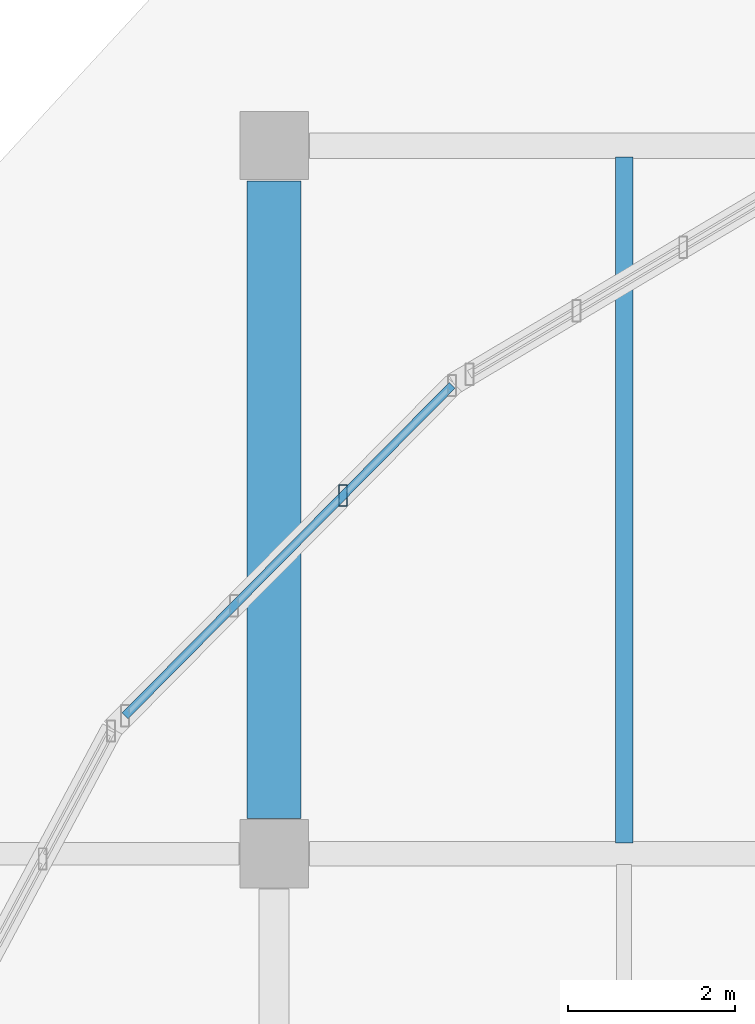
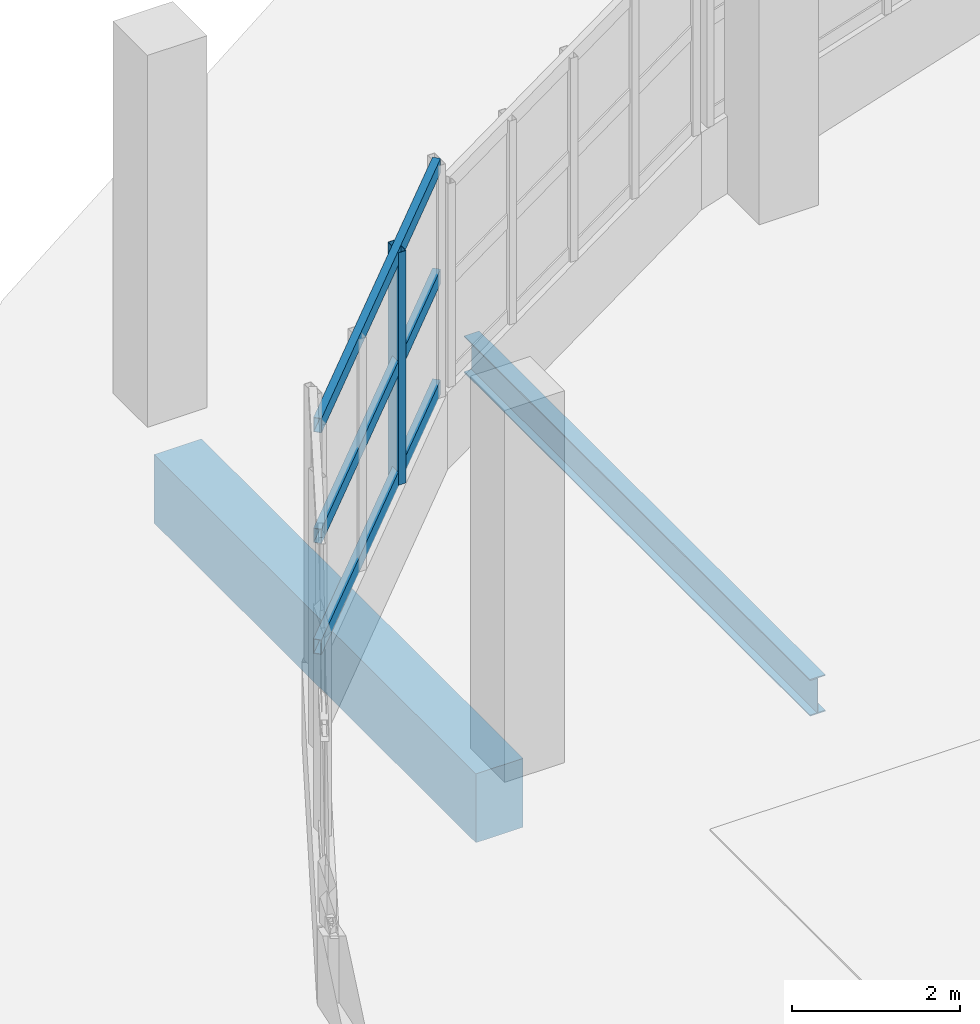
# One storey, part 9 of 107: 4 members, 2 beams, 1 element without a shape of its own.
"""IFC4 building model written with IfcOpenShell, lengths in metres."""

from ifc_helpers import new_model, si_unit, direction, frame, origin, origin_2d, place, context, subcontext, project, spatial, rectangle, hollow_rectangle, i_section, extrude, material, material_profile, profile_set, type_object, element, aggregate, save


model = new_model("IFC4")

# Units and contexts
model_context = context("Model", 3, precision=1e-05, world=origin(), true_north=direction((0.0, 1.0)))
body_context = subcontext(model_context, "Body", "Model", "MODEL_VIEW")
ifc_project = project(units=[si_unit("LENGTHUNIT", "METRE"), si_unit("AREAUNIT", "SQUARE_METRE"), si_unit("VOLUMEUNIT", "CUBIC_METRE"), si_unit("PLANEANGLEUNIT", "RADIAN"), si_unit("MASSUNIT", "GRAM", prefix="KILO")], contexts=[model_context])

# Site, building, storey
site_placement = place(None, origin())
site = spatial("IfcSite", under=ifc_project, at=site_placement, CompositionType="ELEMENT")
building_placement = place(site_placement, origin())
building = spatial("IfcBuilding", under=site, at=building_placement, Name="Solvento Point Concert Hall", CompositionType="ELEMENT")
storey_placement = place(building_placement, origin())
storey = spatial("IfcBuildingStorey", under=building, at=storey_placement, Name="L00", CompositionType="ELEMENT", Elevation=0.0)

# Beams
ifc_material_1 = material(Name="Structural Steel ASTM A992 Grade 50", Category="steel")
ifc_material_profile_1 = material_profile(ifc_material_1, i_section(OverallWidth=0.20947265625, OverallDepth=0.532958984375, WebThickness=0.01025390625, FlangeThickness=0.015625, at=origin_2d()), Name="W21X62")
ifc_profile_set_1 = profile_set([ifc_material_profile_1], Name="Structural Steel ASTM A992 Grade 50")
beam_type_1 = type_object("IfcBeamType", Name="Beam_W21X62", PredefinedType="BEAM", material=ifc_profile_set_1)
beam_1_placement = place(storey_placement, frame((45.0, 42.631103515625, -0.680419921875), z_axis=(0.0, 1.0, 0.0), x_axis=(-1.0, 0.0, 0.0)))
element("IfcBeam", 1, at=beam_1_placement, inside=storey, type_object=beam_type_1, Name="Secondary floor joist B-25 L00", PredefinedType="BEAM", context=body_context, shape_type="SweptSolid", body=[
    extrude(i_section(OverallWidth=0.20947265625, OverallDepth=0.532958984375, WebThickness=0.01025390625, FlangeThickness=0.015625, at=origin_2d()), origin(), (0.0, 0.0, 1.0), 8.22998046875),
])
ifc_material_2 = material(Name="Concrete C35/45", Category="concrete")
ifc_material_profile_2 = material_profile(ifc_material_2, rectangle(XDim=0.64990234375, YDim=1.0, at=origin_2d()), Name="RC-BM-650X1000")
ifc_profile_set_2 = profile_set([ifc_material_profile_2], Name="Concrete C35/45")
beam_type_2 = type_object("IfcBeamType", Name="Girder_RC_650x1000", PredefinedType="USERDEFINED", material=ifc_profile_set_2)
beam_2_placement = place(storey_placement, frame((40.800048828125, 42.924072265625, -0.9140625), z_axis=(0.0, 1.0, 0.0), x_axis=(-1.0, 0.0, 0.0)))
element("IfcBeam", 2, at=beam_2_placement, inside=storey, type_object=beam_type_2, Name="Primary girder B-67 L00", ObjectType="GIRDER", PredefinedType="USERDEFINED", context=body_context, shape_type="SweptSolid", body=[
    extrude(rectangle(XDim=0.64990234375, YDim=1.0, at=origin_2d()), origin(), (0.0, 0.0, 1.0), 7.65185546875),
])

# Curtain wall, members
ifc_material_3 = material(Name="Anodized Bronze Aluminium", Category="aluminium")
curtain_wall_type = type_object("IfcCurtainWallType", Name="CurtainWall_FoyerL00", PredefinedType="USERDEFINED", material=ifc_material_3)
curtain_wall_placement = place(storey_placement, origin())
curtain_wall = element("IfcCurtainWall", 3, at=curtain_wall_placement, inside=storey, type_object=curtain_wall_type, Name="Unitised curtain wall CW-29 UCW-L00-008", ObjectType="UNITISED CURTAIN WALL", PredefinedType="USERDEFINED")
ifc_material_4 = material(Name="Anodized Bronze Aluminium", Category="aluminium")
ifc_material_profile_3 = material_profile(ifc_material_4, hollow_rectangle(XDim=0.10009765625, YDim=0.260009765625, WallThickness=0.0048828125, at=origin_2d()), Name="CW-MUL-100X260")
ifc_profile_set_3 = profile_set([ifc_material_profile_3], Name="Anodized Bronze Aluminium")
member_type_1 = type_object("IfcMemberType", Name="Mullion_100x260", PredefinedType="MULLION", material=ifc_profile_set_3)
member_1_placement = place(storey_placement, frame((41.62744140625, 46.79931640625, 1.1201171875), z_axis=(0.0, 0.0, 1.0), x_axis=(1.0, 0.0, 0.0)))
member_1 = element("IfcMember", 4, at=member_1_placement, type_object=member_type_1, Name="Curtain wall mullion ML-03", PredefinedType="MULLION", context=body_context, shape_type="SweptSolid", body=[
    extrude(hollow_rectangle(XDim=0.10009765625, YDim=0.260009765625, WallThickness=0.0048828125, at=origin_2d()), origin(), (0.0, 0.0, 1.0), 3.3759765625),
])
ifc_material_5 = material(Name="Anodized Bronze Aluminium", Category="aluminium")
ifc_material_profile_4 = material_profile(ifc_material_5, hollow_rectangle(XDim=0.10009765625, YDim=0.2099609375, WallThickness=0.0048828125, at=origin_2d()), Name="CW-TRN-100X210")
ifc_profile_set_4 = profile_set([ifc_material_profile_4], Name="Anodized Bronze Aluminium")
member_type_2 = type_object("IfcMemberType", Name="Transom_100x210", PredefinedType="USERDEFINED", material=ifc_profile_set_4)
member_2_placement = place(storey_placement, frame((39.01123046875, 44.156494140625, 1.199951171875), z_axis=(0.703508789572, 0.710686557489, 0.0), x_axis=(-0.710686557489, 0.703508789572, 0.0)))
member_2 = element("IfcMember", 5, at=member_2_placement, type_object=member_type_2, Name="Curtain wall transom TR-03", ObjectType="TRANSOM", PredefinedType="USERDEFINED", context=body_context, shape_type="SweptSolid", body=[
    extrude(hollow_rectangle(XDim=0.10009765625, YDim=0.2099609375, WallThickness=0.0048828125, at=origin_2d()), origin(), (0.0, 0.0, 1.0), 5.578125),
])
member_3_placement = place(storey_placement, frame((39.01123046875, 44.156494140625, 2.80810546875), z_axis=(0.703508789572, 0.710686557489, 0.0), x_axis=(-0.710686557489, 0.703508789572, 0.0)))
member_3 = element("IfcMember", 6, at=member_3_placement, type_object=member_type_2, Name="Curtain wall transom TR-03", ObjectType="TRANSOM", PredefinedType="USERDEFINED", context=body_context, shape_type="SweptSolid", body=[
    extrude(hollow_rectangle(XDim=0.10009765625, YDim=0.2099609375, WallThickness=0.0048828125, at=origin_2d()), origin(), (0.0, 0.0, 1.0), 5.578125),
])
member_4_placement = place(storey_placement, frame((39.01123046875, 44.156494140625, 4.416015625), z_axis=(0.703508789572, 0.710686557489, 0.0), x_axis=(-0.710686557489, 0.703508789572, 0.0)))
member_4 = element("IfcMember", 7, at=member_4_placement, type_object=member_type_2, Name="Curtain wall transom TR-03", ObjectType="TRANSOM", PredefinedType="USERDEFINED", context=body_context, shape_type="SweptSolid", body=[
    extrude(hollow_rectangle(XDim=0.10009765625, YDim=0.2099609375, WallThickness=0.0048828125, at=origin_2d()), origin(), (0.0, 0.0, 1.0), 5.578125),
])
aggregate(curtain_wall, [member_1, member_2, member_3, member_4])

save(model, "model.ifc")
